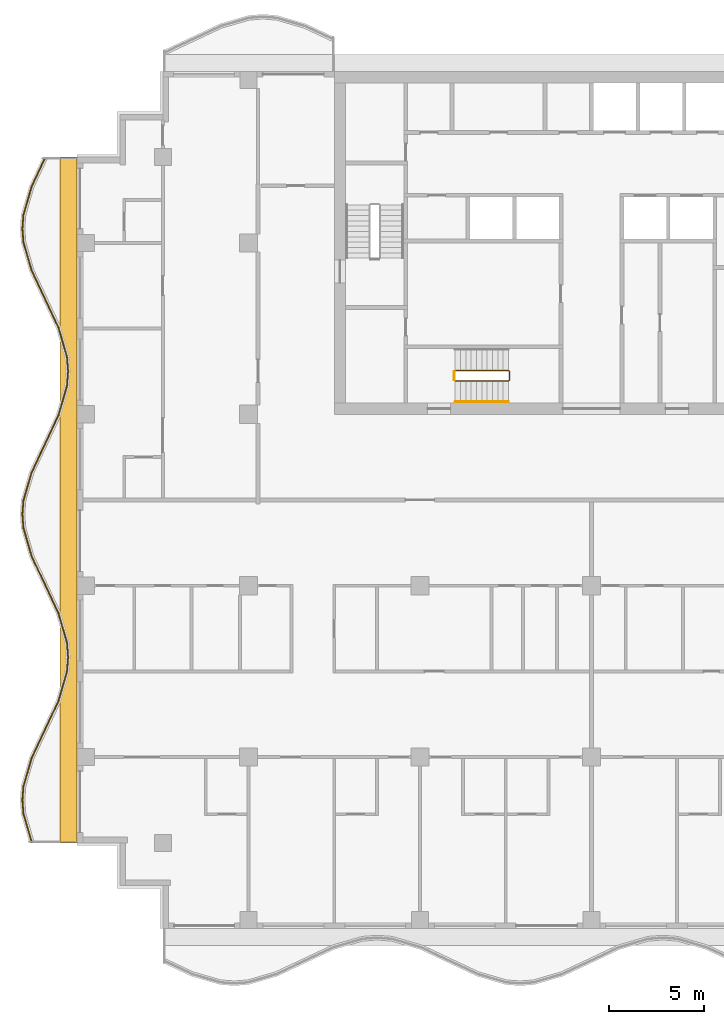
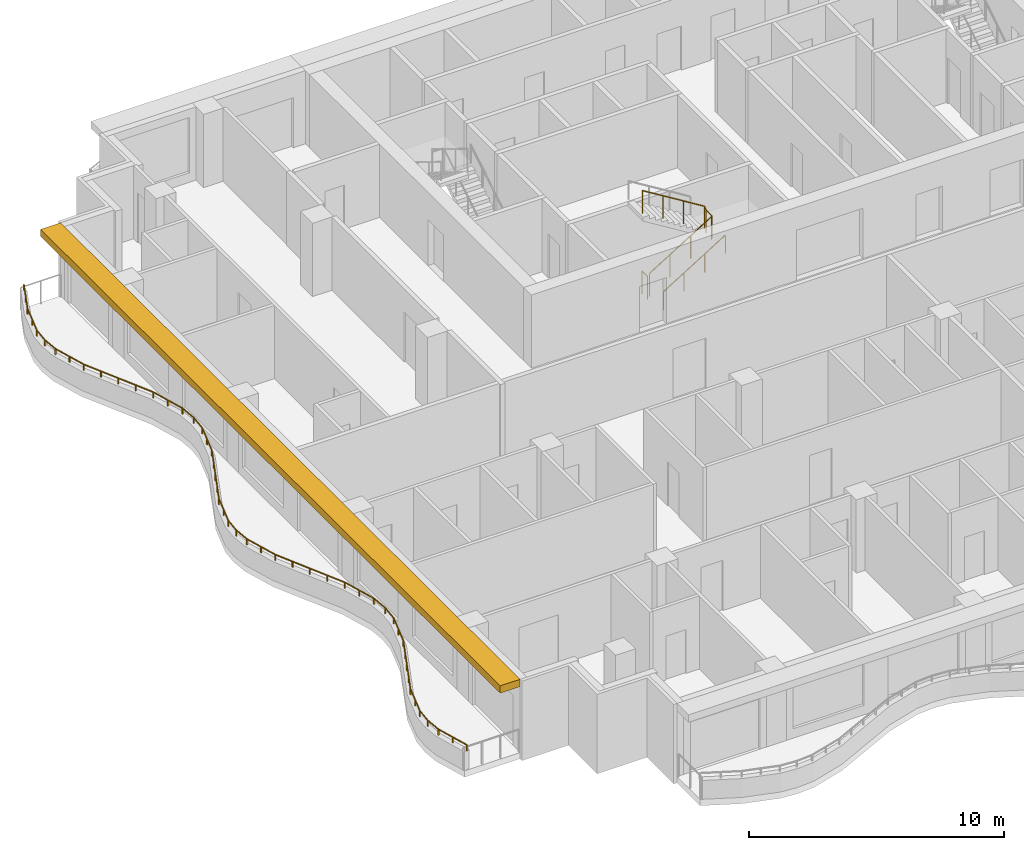
# One storey, part 9 of 11: 4 railings, 1 shading device.
"""IFC4 building model written with IfcOpenShell, lengths in metres."""

from ifc_helpers import new_model, si_unit, direction, frame, origin, origin_2d, place, context, subcontext, project, spatial, polyline, rectangle, circle, outline, extrude, material, layer, layer_set, type_object, element, save


model = new_model("IFC4")

# Units and contexts
model_context = context("Model", 3, precision=1e-05, world=origin(), true_north=direction((0.0, 1.0)))
body_context = subcontext(model_context, "Body", "Model", "MODEL_VIEW")
ifc_project = project(units=[si_unit("LENGTHUNIT", "METRE"), si_unit("AREAUNIT", "SQUARE_METRE"), si_unit("VOLUMEUNIT", "CUBIC_METRE"), si_unit("PLANEANGLEUNIT", "RADIAN"), si_unit("MASSUNIT", "GRAM", prefix="KILO")], contexts=[model_context])

# Site, building, storey
site_placement = place(None, origin())
site = spatial("IfcSite", under=ifc_project, at=site_placement, CompositionType="ELEMENT")
building_placement = place(site_placement, origin())
building = spatial("IfcBuilding", under=site, at=building_placement, Name="Orbiselva Terraces", CompositionType="ELEMENT")
storey_placement = place(building_placement, frame((0.0, 0.0, 273.0)))
storey = spatial("IfcBuildingStorey", under=building, at=storey_placement, Name="L69", CompositionType="ELEMENT", Elevation=273.0)

# Railings
ifc_material_1 = material(Name="Stainless steel", Category="steel")
railing_type_1 = type_object("IfcRailingType", Name="CORE-GUARD-1100", PredefinedType="GUARDRAIL", material=ifc_material_1)
railing_1_placement = place(storey_placement, frame((-7.15, 6.25, 0.172727)))
element("IfcRailing", 1, at=railing_1_placement, inside=storey, type_object=railing_type_1, Name="L69 S3 stair guard 1", PredefinedType="GUARDRAIL", context=body_context, shape_type="SweptSolid", body=[
    extrude(circle(Radius=0.024, at=origin_2d()), frame((0.0, 0.0, 1.081), z_axis=(0.851088519012, 0.0, 0.52502222125), x_axis=(0.0, 1.0, 0.0)), (0.0, 0.0, 1.0), 3.289905),
    extrude(circle(Radius=0.024, at=origin_2d()), frame((2.8, 0.0, 2.808273), z_axis=(0.707106781187, 0.707106781187, 0.0), x_axis=(-0.707106781187, 0.707106781187, 0.0)), (0.0, 0.0, 1.0), 0.070711),
    extrude(circle(Radius=0.024, at=origin_2d()), frame((2.85, 0.05, 2.808273), z_axis=(0.0, 1.0, 0.0), x_axis=(-1.0, 0.0, 0.0)), (0.0, 0.0, 1.0), 0.45),
    extrude(circle(Radius=0.024, at=origin_2d()), frame((2.85, 0.5, 2.808273), z_axis=(-0.267894925557, 0.267894925557, 0.925453736133), x_axis=(-0.707106781187, -0.707106781187, 0.0)), (0.0, 0.0, 1.0), 0.18664),
    extrude(circle(Radius=0.024, at=origin_2d()), frame((2.8, 0.55, 2.981), z_axis=(-0.851088519012, 0.0, 0.52502222125), x_axis=(0.0, -1.0, 0.0)), (0.0, 0.0, 1.0), 3.289905),
    extrude(circle(Radius=0.021, at=origin_2d()), origin(), (0.0, 0.0, 1.0), 1.057),
    extrude(circle(Radius=0.021, at=origin_2d()), frame((0.933333, 0.0, 0.575758)), (0.0, 0.0, 1.0), 1.057),
    extrude(circle(Radius=0.021, at=origin_2d()), frame((1.866667, 0.0, 1.151515)), (0.0, 0.0, 1.0), 1.057),
    extrude(circle(Radius=0.021, at=origin_2d()), frame((2.8, 0.0, 1.727273)), (0.0, 0.0, 1.0), 1.057),
    extrude(circle(Radius=0.021, at=origin_2d()), frame((2.85, 0.05, 1.727273)), (0.0, 0.0, 1.0), 1.057),
    extrude(circle(Radius=0.021, at=origin_2d()), frame((2.85, 0.5, 1.727273)), (0.0, 0.0, 1.0), 1.057),
    extrude(circle(Radius=0.021, at=origin_2d()), frame((2.8, 0.55, 1.9)), (0.0, 0.0, 1.0), 1.057),
    extrude(circle(Radius=0.021, at=origin_2d()), frame((1.866667, 0.55, 2.475758)), (0.0, 0.0, 1.0), 1.057),
    extrude(circle(Radius=0.021, at=origin_2d()), frame((0.933333, 0.55, 3.051515)), (0.0, 0.0, 1.0), 1.057),
    extrude(circle(Radius=0.021, at=origin_2d()), frame((0.0, 0.55, 3.627273)), (0.0, 0.0, 1.0), 1.057),
])
railing_2_placement = place(storey_placement, frame((-7.2, 6.3, 0.0)))
element("IfcRailing", 2, at=railing_2_placement, inside=storey, type_object=railing_type_1, Name="L69 S3 stair guard 2", PredefinedType="GUARDRAIL", context=body_context, shape_type="SweptSolid", body=[
    extrude(circle(Radius=0.024, at=origin_2d()), frame((0.0, 0.0, 1.081), z_axis=(0.0, 1.0, 0.0), x_axis=(-1.0, 0.0, 0.0)), (0.0, 0.0, 1.0), 0.45),
    extrude(circle(Radius=0.021, at=origin_2d()), origin(), (0.0, 0.0, 1.0), 1.057),
    extrude(circle(Radius=0.021, at=origin_2d()), frame((0.0, 0.45, 0.0)), (0.0, 0.0, 1.0), 1.057),
])
railing_type_2 = type_object("IfcRailingType", Name="CORE-HANDRAIL-900", PredefinedType="HANDRAIL", material=ifc_material_1)
railing_3_placement = place(storey_placement, frame((-7.15, 5.15, 0.172727)))
element("IfcRailing", 3, at=railing_3_placement, inside=storey, type_object=railing_type_2, Name="L69 S3 stair handrail 1", PredefinedType="HANDRAIL", context=body_context, shape_type="SweptSolid", body=[
    extrude(circle(Radius=0.024, at=origin_2d()), frame((0.0, 0.0, 0.876), z_axis=(0.851088519012, 0.0, 0.52502222125), x_axis=(0.0, 1.0, 0.0)), (0.0, 0.0, 1.0), 3.289905),
    extrude(circle(Radius=0.021, at=origin_2d()), origin(), (0.0, 0.0, 1.0), 0.852),
    extrude(circle(Radius=0.021, at=origin_2d()), frame((0.933333, 0.0, 0.575758)), (0.0, 0.0, 1.0), 0.852),
    extrude(circle(Radius=0.021, at=origin_2d()), frame((1.866667, 0.0, 1.151515)), (0.0, 0.0, 1.0), 0.852),
    extrude(circle(Radius=0.021, at=origin_2d()), frame((2.8, 0.0, 1.727273)), (0.0, 0.0, 1.0), 0.852),
])
ifc_material_2 = material(Name="Bonded two-ply safety glass balustrade, stainless steel posts", Category="steel")
railing_type_3 = type_object("IfcRailingType", Name="ENV-BALUSTRADE-1200", PredefinedType="BALUSTRADE", material=ifc_material_2)
railing_4_placement = place(storey_placement, frame((-28.686882, 17.946809, 0.9)))
element("IfcRailing", 4, at=railing_4_placement, inside=storey, type_object=railing_type_3, Name="Balcony balustrade L69 W", PredefinedType="BALUSTRADE", context=body_context, shape_type="SweptSolid", body=[
    extrude(outline(polyline([(0.028868, 0.0), (0.014434, 0.025), (-0.014434, 0.025), (-0.028868, 0.0), (-0.014434, -0.025), (0.014434, -0.025), (0.028868, 0.0)])), frame((0.0, 0.0, 0.275), z_axis=(-0.425529912322, -0.904944359461, 0.0), x_axis=(0.904944359461, -0.425529912322, 0.0)), (0.0, 0.0, 1.0), 1.647746),
    extrude(outline(polyline([(0.028868, 0.0), (0.014434, 0.025), (-0.014434, 0.025), (-0.028868, 0.0), (-0.014434, -0.025), (0.014434, -0.025), (0.028868, 0.0)])), frame((-0.701165, -1.491118, 0.275), z_axis=(-0.279071528957, -0.960270317007, 0.0), x_axis=(0.960270317007, -0.279071528957, 0.0)), (0.0, 0.0, 1.0), 1.539408),
    extrude(outline(polyline([(0.028868, 0.0), (0.014434, 0.025), (-0.014434, 0.025), (-0.028868, 0.0), (-0.014434, -0.025), (0.014434, -0.025), (0.028868, 0.0)])), frame((-1.13077, -2.969366, 0.275), z_axis=(-0.078069536776, -0.996947916106, 0.0), x_axis=(0.996947916106, -0.078069536776, 0.0)), (0.0, 0.0, 1.0), 0.72967),
    extrude(outline(polyline([(0.028868, 0.0), (0.014434, 0.025), (-0.014434, 0.025), (-0.028868, 0.0), (-0.014434, -0.025), (0.014434, -0.025), (0.028868, 0.0)])), frame((-1.187735, -3.696809, 0.275), z_axis=(0.078069536776, -0.996947916106, 0.0), x_axis=(0.996947916106, 0.078069536776, 0.0)), (0.0, 0.0, 1.0), 0.72967),
    extrude(outline(polyline([(0.028868, 0.0), (0.014434, 0.025), (-0.014434, 0.025), (-0.028868, 0.0), (-0.014434, -0.025), (0.014434, -0.025), (0.028868, 0.0)])), frame((-1.13077, -4.424252, 0.275), z_axis=(0.279071528957, -0.960270317007, 0.0), x_axis=(0.960270317007, 0.279071528957, 0.0)), (0.0, 0.0, 1.0), 1.539408),
    extrude(outline(polyline([(0.028868, 0.0), (0.014434, 0.025), (-0.014434, 0.025), (-0.028868, 0.0), (-0.014434, -0.025), (0.014434, -0.025), (0.028868, 0.0)])), frame((-0.701165, -5.9025, 0.275), z_axis=(0.425529912322, -0.904944359461, 0.0), x_axis=(0.904944359461, 0.425529912322, 0.0)), (0.0, 0.0, 1.0), 1.647746),
    extrude(outline(polyline([(0.028868, 0.0), (0.014434, 0.025), (-0.014434, 0.025), (-0.028868, 0.0), (-0.014434, -0.025), (0.014434, -0.025), (0.028868, 0.0)])), frame((0.0, -7.393618, 0.275), z_axis=(0.425530342069, -0.904944157382, 0.0), x_axis=(0.904944157382, 0.425530342069, 0.0)), (0.0, 0.0, 1.0), 1.667376),
    extrude(outline(polyline([(0.028868, 0.0), (0.014434, 0.025), (-0.014434, 0.025), (-0.028868, 0.0), (-0.014434, -0.025), (0.014434, -0.025), (0.028868, 0.0)])), frame((0.709519, -8.9025, 0.275), z_axis=(0.279070928786, -0.960270491427, 0.0), x_axis=(0.960270491427, 0.279070928786, 0.0)), (0.0, 0.0, 1.0), 1.584712),
    extrude(outline(polyline([(0.028868, 0.0), (0.014434, 0.025), (-0.014434, 0.025), (-0.028868, 0.0), (-0.014434, -0.025), (0.014434, -0.025), (0.028868, 0.0)])), frame((1.151766, -10.424252, 0.275), z_axis=(0.078071061106, -0.996947796737, 0.0), x_axis=(0.996947796737, 0.078071061106, 0.0)), (0.0, 0.0, 1.0), 0.774922),
    extrude(outline(polyline([(0.028868, 0.0), (0.014434, 0.025), (-0.014434, 0.025), (-0.028868, 0.0), (-0.014434, -0.025), (0.014434, -0.025), (0.028868, 0.0)])), frame((1.212265, -11.196809, 0.275), z_axis=(-0.078071061106, -0.996947796737, 0.0), x_axis=(0.996947796737, -0.078071061106, 0.0)), (0.0, 0.0, 1.0), 0.774922),
    extrude(outline(polyline([(0.028868, 0.0), (0.014434, 0.025), (-0.014434, 0.025), (-0.028868, 0.0), (-0.014434, -0.025), (0.014434, -0.025), (0.028868, 0.0)])), frame((1.151766, -11.969366, 0.275), z_axis=(-0.279070928786, -0.960270491427, 0.0), x_axis=(0.960270491427, -0.279070928786, 0.0)), (0.0, 0.0, 1.0), 1.584712),
    extrude(outline(polyline([(0.028868, 0.0), (0.014434, 0.025), (-0.014434, 0.025), (-0.028868, 0.0), (-0.014434, -0.025), (0.014434, -0.025), (0.028868, 0.0)])), frame((0.709519, -13.491118, 0.275), z_axis=(-0.425530342069, -0.904944157382, 0.0), x_axis=(0.904944157382, -0.425530342069, 0.0)), (0.0, 0.0, 1.0), 1.667376),
    extrude(outline(polyline([(0.028868, 0.0), (0.014434, 0.025), (-0.014434, 0.025), (-0.028868, 0.0), (-0.014434, -0.025), (0.014434, -0.025), (0.028868, 0.0)])), frame((0.0, -15.0, 0.275), z_axis=(-0.425529912322, -0.904944359461, 0.0), x_axis=(0.904944359461, -0.425529912322, 0.0)), (0.0, 0.0, 1.0), 1.647746),
    extrude(outline(polyline([(0.028868, 0.0), (0.014434, 0.025), (-0.014434, 0.025), (-0.028868, 0.0), (-0.014434, -0.025), (0.014434, -0.025), (0.028868, 0.0)])), frame((-0.701165, -16.491118, 0.275), z_axis=(-0.279071528957, -0.960270317007, 0.0), x_axis=(0.960270317007, -0.279071528957, 0.0)), (0.0, 0.0, 1.0), 1.539408),
    extrude(outline(polyline([(0.028868, 0.0), (0.014434, 0.025), (-0.014434, 0.025), (-0.028868, 0.0), (-0.014434, -0.025), (0.014434, -0.025), (0.028868, 0.0)])), frame((-1.13077, -17.969366, 0.275), z_axis=(-0.078069536776, -0.996947916106, 0.0), x_axis=(0.996947916106, -0.078069536776, 0.0)), (0.0, 0.0, 1.0), 0.72967),
    extrude(outline(polyline([(0.028868, 0.0), (0.014434, 0.025), (-0.014434, 0.025), (-0.028868, 0.0), (-0.014434, -0.025), (0.014434, -0.025), (0.028868, 0.0)])), frame((-1.187735, -18.696809, 0.275), z_axis=(0.078069536776, -0.996947916106, 0.0), x_axis=(0.996947916106, 0.078069536776, 0.0)), (0.0, 0.0, 1.0), 0.72967),
    extrude(outline(polyline([(0.028868, 0.0), (0.014434, 0.025), (-0.014434, 0.025), (-0.028868, 0.0), (-0.014434, -0.025), (0.014434, -0.025), (0.028868, 0.0)])), frame((-1.13077, -19.424252, 0.275), z_axis=(0.279071528957, -0.960270317007, 0.0), x_axis=(0.960270317007, 0.279071528957, 0.0)), (0.0, 0.0, 1.0), 1.539408),
    extrude(outline(polyline([(0.028868, 0.0), (0.014434, 0.025), (-0.014434, 0.025), (-0.028868, 0.0), (-0.014434, -0.025), (0.014434, -0.025), (0.028868, 0.0)])), frame((-0.701165, -20.9025, 0.275), z_axis=(0.425529912322, -0.904944359461, 0.0), x_axis=(0.904944359461, 0.425529912322, 0.0)), (0.0, 0.0, 1.0), 1.647746),
    extrude(outline(polyline([(0.028868, 0.0), (0.014434, 0.025), (-0.014434, 0.025), (-0.028868, 0.0), (-0.014434, -0.025), (0.014434, -0.025), (0.028868, 0.0)])), frame((0.0, -22.393618, 0.275), z_axis=(0.425530342069, -0.904944157382, 0.0), x_axis=(0.904944157382, 0.425530342069, 0.0)), (0.0, 0.0, 1.0), 1.667376),
    extrude(outline(polyline([(0.028868, 0.0), (0.014434, 0.025), (-0.014434, 0.025), (-0.028868, 0.0), (-0.014434, -0.025), (0.014434, -0.025), (0.028868, 0.0)])), frame((0.709519, -23.9025, 0.275), z_axis=(0.279070928786, -0.960270491427, 0.0), x_axis=(0.960270491427, 0.279070928786, 0.0)), (0.0, 0.0, 1.0), 1.584712),
    extrude(outline(polyline([(0.028868, 0.0), (0.014434, 0.025), (-0.014434, 0.025), (-0.028868, 0.0), (-0.014434, -0.025), (0.014434, -0.025), (0.028868, 0.0)])), frame((1.151766, -25.424252, 0.275), z_axis=(0.078071061106, -0.996947796737, 0.0), x_axis=(0.996947796737, 0.078071061106, 0.0)), (0.0, 0.0, 1.0), 0.774922),
    extrude(outline(polyline([(0.028868, 0.0), (0.014434, 0.025), (-0.014434, 0.025), (-0.028868, 0.0), (-0.014434, -0.025), (0.014434, -0.025), (0.028868, 0.0)])), frame((1.212265, -26.196809, 0.275), z_axis=(-0.078071061106, -0.996947796737, 0.0), x_axis=(0.996947796737, -0.078071061106, 0.0)), (0.0, 0.0, 1.0), 0.774922),
    extrude(outline(polyline([(0.028868, 0.0), (0.014434, 0.025), (-0.014434, 0.025), (-0.028868, 0.0), (-0.014434, -0.025), (0.014434, -0.025), (0.028868, 0.0)])), frame((1.151766, -26.969366, 0.275), z_axis=(-0.279070928786, -0.960270491427, 0.0), x_axis=(0.960270491427, -0.279070928786, 0.0)), (0.0, 0.0, 1.0), 1.584712),
    extrude(outline(polyline([(0.028868, 0.0), (0.014434, 0.025), (-0.014434, 0.025), (-0.028868, 0.0), (-0.014434, -0.025), (0.014434, -0.025), (0.028868, 0.0)])), frame((0.709519, -28.491118, 0.275), z_axis=(-0.425530342069, -0.904944157382, 0.0), x_axis=(0.904944157382, -0.425530342069, 0.0)), (0.0, 0.0, 1.0), 1.667376),
    extrude(outline(polyline([(0.028868, 0.0), (0.014434, 0.025), (-0.014434, 0.025), (-0.028868, 0.0), (-0.014434, -0.025), (0.014434, -0.025), (0.028868, 0.0)])), frame((0.0, -30.0, 0.275), z_axis=(-0.425529912322, -0.904944359461, 0.0), x_axis=(0.904944359461, -0.425529912322, 0.0)), (0.0, 0.0, 1.0), 1.647746),
    extrude(outline(polyline([(0.028868, 0.0), (0.014434, 0.025), (-0.014434, 0.025), (-0.028868, 0.0), (-0.014434, -0.025), (0.014434, -0.025), (0.028868, 0.0)])), frame((-0.701165, -31.491118, 0.275), z_axis=(-0.279071528957, -0.960270317007, 0.0), x_axis=(0.960270317007, -0.279071528957, 0.0)), (0.0, 0.0, 1.0), 1.539408),
    extrude(outline(polyline([(0.028868, 0.0), (0.014434, 0.025), (-0.014434, 0.025), (-0.028868, 0.0), (-0.014434, -0.025), (0.014434, -0.025), (0.028868, 0.0)])), frame((-1.13077, -32.969366, 0.275), z_axis=(-0.078069536776, -0.996947916106, 0.0), x_axis=(0.996947916106, -0.078069536776, 0.0)), (0.0, 0.0, 1.0), 0.72967),
    extrude(outline(polyline([(0.028868, 0.0), (0.014434, 0.025), (-0.014434, 0.025), (-0.028868, 0.0), (-0.014434, -0.025), (0.014434, -0.025), (0.028868, 0.0)])), frame((-1.187735, -33.696809, 0.275), z_axis=(0.078069536776, -0.996947916106, 0.0), x_axis=(0.996947916106, 0.078069536776, 0.0)), (0.0, 0.0, 1.0), 0.72967),
    extrude(outline(polyline([(0.028868, 0.0), (0.014434, 0.025), (-0.014434, 0.025), (-0.028868, 0.0), (-0.014434, -0.025), (0.014434, -0.025), (0.028868, 0.0)])), frame((-1.13077, -34.424252, 0.275), z_axis=(0.279071486336, -0.960270329394, 0.0), x_axis=(0.960270329394, 0.279071486336, 0.0)), (0.0, 0.0, 1.0), 1.549223),
    extrude(rectangle(XDim=0.05, YDim=0.05, at=origin_2d()), origin(), (0.0, 0.0, 1.0), 0.25),
    extrude(rectangle(XDim=0.05, YDim=0.05, at=origin_2d()), frame((-0.350582, -0.745559, 0.0)), (0.0, 0.0, 1.0), 0.25),
    extrude(rectangle(XDim=0.05, YDim=0.05, at=origin_2d()), frame((-0.701165, -1.491118, 0.0)), (0.0, 0.0, 1.0), 0.25),
    extrude(rectangle(XDim=0.05, YDim=0.05, at=origin_2d()), frame((-0.915967, -2.230242, 0.0)), (0.0, 0.0, 1.0), 0.25),
    extrude(rectangle(XDim=0.05, YDim=0.05, at=origin_2d()), frame((-1.13077, -2.969366, 0.0)), (0.0, 0.0, 1.0), 0.25),
    extrude(rectangle(XDim=0.05, YDim=0.05, at=origin_2d()), frame((-1.187735, -3.696809, 0.0)), (0.0, 0.0, 1.0), 0.25),
    extrude(rectangle(XDim=0.05, YDim=0.05, at=origin_2d()), frame((-1.13077, -4.424252, 0.0)), (0.0, 0.0, 1.0), 0.25),
    extrude(rectangle(XDim=0.05, YDim=0.05, at=origin_2d()), frame((-0.915967, -5.163376, 0.0)), (0.0, 0.0, 1.0), 0.25),
    extrude(rectangle(XDim=0.05, YDim=0.05, at=origin_2d()), frame((-0.701165, -5.9025, 0.0)), (0.0, 0.0, 1.0), 0.25),
    extrude(rectangle(XDim=0.05, YDim=0.05, at=origin_2d()), frame((-0.350582, -6.648059, 0.0)), (0.0, 0.0, 1.0), 0.25),
    extrude(rectangle(XDim=0.05, YDim=0.05, at=origin_2d()), frame((0.0, -7.393618, 0.0)), (0.0, 0.0, 1.0), 0.25),
    extrude(rectangle(XDim=0.05, YDim=0.05, at=origin_2d()), frame((0.35476, -8.148059, 0.0)), (0.0, 0.0, 1.0), 0.25),
    extrude(rectangle(XDim=0.05, YDim=0.05, at=origin_2d()), frame((0.709519, -8.9025, 0.0)), (0.0, 0.0, 1.0), 0.25),
    extrude(rectangle(XDim=0.05, YDim=0.05, at=origin_2d()), frame((0.930643, -9.663376, 0.0)), (0.0, 0.0, 1.0), 0.25),
    extrude(rectangle(XDim=0.05, YDim=0.05, at=origin_2d()), frame((1.151766, -10.424252, 0.0)), (0.0, 0.0, 1.0), 0.25),
    extrude(rectangle(XDim=0.05, YDim=0.05, at=origin_2d()), frame((1.212265, -11.196809, 0.0)), (0.0, 0.0, 1.0), 0.25),
    extrude(rectangle(XDim=0.05, YDim=0.05, at=origin_2d()), frame((1.151766, -11.969366, 0.0)), (0.0, 0.0, 1.0), 0.25),
    extrude(rectangle(XDim=0.05, YDim=0.05, at=origin_2d()), frame((0.930643, -12.730242, 0.0)), (0.0, 0.0, 1.0), 0.25),
    extrude(rectangle(XDim=0.05, YDim=0.05, at=origin_2d()), frame((0.709519, -13.491118, 0.0)), (0.0, 0.0, 1.0), 0.25),
    extrude(rectangle(XDim=0.05, YDim=0.05, at=origin_2d()), frame((0.35476, -14.245559, 0.0)), (0.0, 0.0, 1.0), 0.25),
    extrude(rectangle(XDim=0.05, YDim=0.05, at=origin_2d()), frame((0.0, -15.0, 0.0)), (0.0, 0.0, 1.0), 0.25),
    extrude(rectangle(XDim=0.05, YDim=0.05, at=origin_2d()), frame((-0.350582, -15.745559, 0.0)), (0.0, 0.0, 1.0), 0.25),
    extrude(rectangle(XDim=0.05, YDim=0.05, at=origin_2d()), frame((-0.701165, -16.491118, 0.0)), (0.0, 0.0, 1.0), 0.25),
    extrude(rectangle(XDim=0.05, YDim=0.05, at=origin_2d()), frame((-0.915967, -17.230242, 0.0)), (0.0, 0.0, 1.0), 0.25),
    extrude(rectangle(XDim=0.05, YDim=0.05, at=origin_2d()), frame((-1.13077, -17.969366, 0.0)), (0.0, 0.0, 1.0), 0.25),
    extrude(rectangle(XDim=0.05, YDim=0.05, at=origin_2d()), frame((-1.187735, -18.696809, 0.0)), (0.0, 0.0, 1.0), 0.25),
    extrude(rectangle(XDim=0.05, YDim=0.05, at=origin_2d()), frame((-1.13077, -19.424252, 0.0)), (0.0, 0.0, 1.0), 0.25),
    extrude(rectangle(XDim=0.05, YDim=0.05, at=origin_2d()), frame((-0.915967, -20.163376, 0.0)), (0.0, 0.0, 1.0), 0.25),
    extrude(rectangle(XDim=0.05, YDim=0.05, at=origin_2d()), frame((-0.701165, -20.9025, 0.0)), (0.0, 0.0, 1.0), 0.25),
    extrude(rectangle(XDim=0.05, YDim=0.05, at=origin_2d()), frame((-0.350582, -21.648059, 0.0)), (0.0, 0.0, 1.0), 0.25),
    extrude(rectangle(XDim=0.05, YDim=0.05, at=origin_2d()), frame((0.0, -22.393618, 0.0)), (0.0, 0.0, 1.0), 0.25),
    extrude(rectangle(XDim=0.05, YDim=0.05, at=origin_2d()), frame((0.35476, -23.148059, 0.0)), (0.0, 0.0, 1.0), 0.25),
    extrude(rectangle(XDim=0.05, YDim=0.05, at=origin_2d()), frame((0.709519, -23.9025, 0.0)), (0.0, 0.0, 1.0), 0.25),
    extrude(rectangle(XDim=0.05, YDim=0.05, at=origin_2d()), frame((0.930643, -24.663376, 0.0)), (0.0, 0.0, 1.0), 0.25),
    extrude(rectangle(XDim=0.05, YDim=0.05, at=origin_2d()), frame((1.151766, -25.424252, 0.0)), (0.0, 0.0, 1.0), 0.25),
    extrude(rectangle(XDim=0.05, YDim=0.05, at=origin_2d()), frame((1.212265, -26.196809, 0.0)), (0.0, 0.0, 1.0), 0.25),
    extrude(rectangle(XDim=0.05, YDim=0.05, at=origin_2d()), frame((1.151766, -26.969366, 0.0)), (0.0, 0.0, 1.0), 0.25),
    extrude(rectangle(XDim=0.05, YDim=0.05, at=origin_2d()), frame((0.930643, -27.730242, 0.0)), (0.0, 0.0, 1.0), 0.25),
    extrude(rectangle(XDim=0.05, YDim=0.05, at=origin_2d()), frame((0.709519, -28.491118, 0.0)), (0.0, 0.0, 1.0), 0.25),
    extrude(rectangle(XDim=0.05, YDim=0.05, at=origin_2d()), frame((0.35476, -29.245559, 0.0)), (0.0, 0.0, 1.0), 0.25),
    extrude(rectangle(XDim=0.05, YDim=0.05, at=origin_2d()), frame((0.0, -30.0, 0.0)), (0.0, 0.0, 1.0), 0.25),
    extrude(rectangle(XDim=0.05, YDim=0.05, at=origin_2d()), frame((-0.350582, -30.745559, 0.0)), (0.0, 0.0, 1.0), 0.25),
    extrude(rectangle(XDim=0.05, YDim=0.05, at=origin_2d()), frame((-0.701165, -31.491118, 0.0)), (0.0, 0.0, 1.0), 0.25),
    extrude(rectangle(XDim=0.05, YDim=0.05, at=origin_2d()), frame((-0.915967, -32.230242, 0.0)), (0.0, 0.0, 1.0), 0.25),
    extrude(rectangle(XDim=0.05, YDim=0.05, at=origin_2d()), frame((-1.13077, -32.969366, 0.0)), (0.0, 0.0, 1.0), 0.25),
    extrude(rectangle(XDim=0.05, YDim=0.05, at=origin_2d()), frame((-1.187735, -33.696809, 0.0)), (0.0, 0.0, 1.0), 0.25),
    extrude(rectangle(XDim=0.05, YDim=0.05, at=origin_2d()), frame((-1.13077, -34.424252, 0.0)), (0.0, 0.0, 1.0), 0.25),
    extrude(rectangle(XDim=0.05, YDim=0.05, at=origin_2d()), frame((-0.914598, -35.168088, 0.0)), (0.0, 0.0, 1.0), 0.25),
    extrude(rectangle(XDim=0.05, YDim=0.05, at=origin_2d()), frame((-0.698426, -35.911925, 0.0)), (0.0, 0.0, 1.0), 0.25),
])

# Shading device
ifc_material_3 = material(Name="Terracotta baguette sunshade", Category="masonry")
ifc_layer = layer(ifc_material_3, 0.35)
ifc_layer_set = layer_set([ifc_layer], Name="Terracotta baguette sunshade")
shading_device_type = type_object("IfcShadingDeviceType", Name="ENV-SUNSHADE-900x350", PredefinedType="USERDEFINED", material=ifc_layer_set)
shading_device_placement = place(storey_placement, frame((0.0, 0.0, 3.15)))
element("IfcShadingDevice", 5, at=shading_device_placement, inside=storey, type_object=shading_device_type, Name="Sunshade band L69 W", ObjectType="SUNSHADE", PredefinedType="USERDEFINED", context=body_context, shape_type="SweptSolid", body=[
    extrude(outline(polyline([(-27.9, 18.0), (-27.9, -18.0), (-27.0, -18.0), (-27.0, 18.0), (-27.9, 18.0)])), origin(), (0.0, 0.0, 1.0), 0.35),
])

save(model, "model.ifc")
